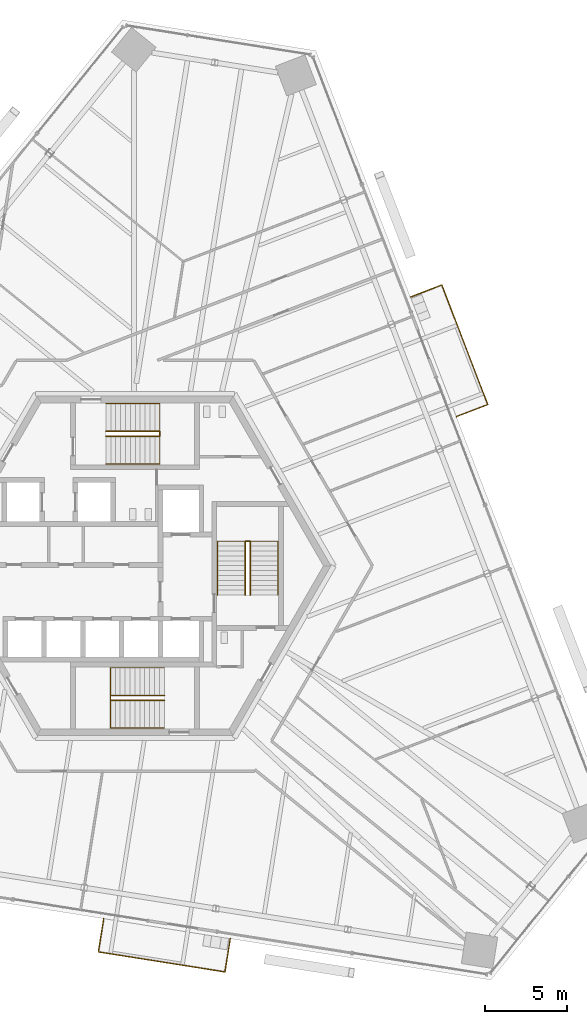
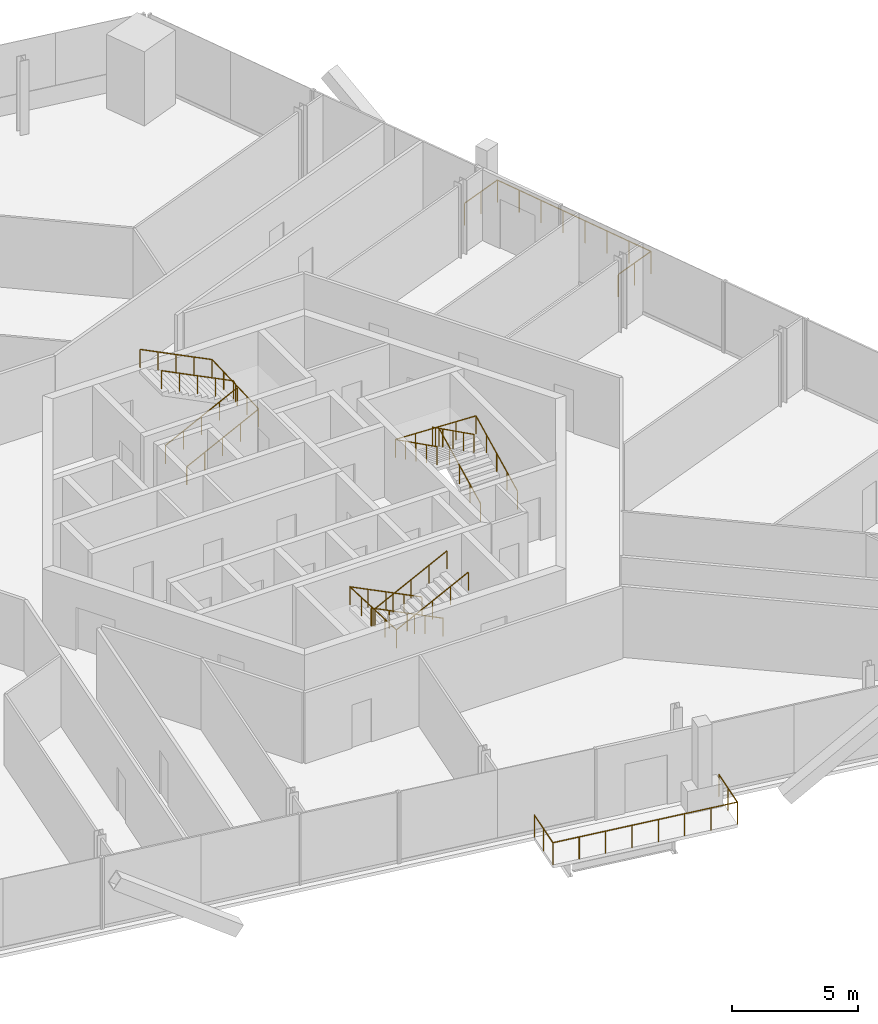
# One storey, part 16 of 19: 8 railings.
"""IFC4 building model written with IfcOpenShell, lengths in metres."""

from ifc_helpers import new_model, si_unit, direction, frame, origin, origin_2d, place, context, subcontext, project, spatial, circle, extrude, source, transform, mapped, material, type_object, element, save


model = new_model("IFC4")

# Units and contexts
model_context = context("Model", 3, precision=1e-05, world=origin(), true_north=direction((0.0, 1.0)))
body_context = subcontext(model_context, "Body", "Model", "MODEL_VIEW")
ifc_project = project(units=[si_unit("LENGTHUNIT", "METRE"), si_unit("AREAUNIT", "SQUARE_METRE"), si_unit("VOLUMEUNIT", "CUBIC_METRE"), si_unit("PLANEANGLEUNIT", "RADIAN"), si_unit("MASSUNIT", "GRAM", prefix="KILO")], contexts=[model_context])

# Site, building, storey
site_placement = place(None, origin())
site = spatial("IfcSite", under=ifc_project, at=site_placement, CompositionType="ELEMENT")
building_placement = place(site_placement, origin())
building = spatial("IfcBuilding", under=site, at=building_placement, Name="Triune Harvest Tower", CompositionType="ELEMENT")
storey_placement = place(building_placement, frame((0.0, 0.0, 164.10009765625)))
storey = spatial("IfcBuildingStorey", under=building, at=storey_placement, Name="L42", CompositionType="ELEMENT", Elevation=164.10009765625)

# Railings
ifc_material_1 = material(Name="Glass", Category="glass")
railing_type_1 = type_object("IfcRailingType", Name="GD-2 balcony guard 1100", PredefinedType="GUARDRAIL", material=ifc_material_1)
railing_1_placement = place(storey_placement, frame((19.682373046875, 9.14013671875, 0.0)))
element("IfcRailing", 1, at=railing_1_placement, inside=storey, type_object=railing_type_1, Name="Balcony guard B4-F1 L42.8", PredefinedType="GUARDRAIL", context=body_context, shape_type="SweptSolid", body=[
    extrude(circle(Radius=0.02392578125, at=origin_2d()), frame((0.0, 0.0, 1.076171875), z_axis=(0.933565221806, 0.358407556608, 0.0), x_axis=(-0.358407556608, 0.933565221806, 0.0)), (0.0, 0.0, 1.0), 2.061279296875),
    extrude(circle(Radius=0.02392578125, at=origin_2d()), frame((1.92431640625, 0.73876953125, 1.076171875), z_axis=(-0.358370618387, 0.93357940202, 0.0), x_axis=(-0.93357940202, -0.358370618387, 0.0)), (0.0, 0.0, 1.0), 7.85205078125),
    extrude(circle(Radius=0.02392578125, at=origin_2d()), frame((-0.8896484375, 8.0693359375, 1.076171875), z_axis=(-0.933565221806, -0.358407556608, 0.0), x_axis=(0.358407556608, -0.933565221806, 0.0)), (0.0, 0.0, 1.0), 2.061279296875),
    extrude(circle(Radius=0.02099609375, at=origin_2d()), origin(), (0.0, 0.0, 1.0), 1.052001953125),
    extrude(circle(Radius=0.02099609375, at=origin_2d()), frame((0.962158203125, 0.369384765625, 0.0)), (0.0, 0.0, 1.0), 1.052001953125),
    extrude(circle(Radius=0.02099609375, at=origin_2d()), frame((1.92431640625, 0.73876953125, 0.0)), (0.0, 0.0, 1.0), 1.052001953125),
    extrude(circle(Radius=0.02099609375, at=origin_2d()), frame((1.522216796875, 1.785888671875, 0.0)), (0.0, 0.0, 1.0), 1.052001953125),
    extrude(circle(Radius=0.02099609375, at=origin_2d()), frame((1.120361328125, 2.833251953125, 0.0)), (0.0, 0.0, 1.0), 1.052001953125),
    extrude(circle(Radius=0.02099609375, at=origin_2d()), frame((0.71826171875, 3.88037109375, 0.0)), (0.0, 0.0, 1.0), 1.052001953125),
    extrude(circle(Radius=0.02099609375, at=origin_2d()), frame((0.31640625, 4.927734375, 0.0)), (0.0, 0.0, 1.0), 1.052001953125),
    extrude(circle(Radius=0.02099609375, at=origin_2d()), frame((-0.085693359375, 5.974853515625, 0.0)), (0.0, 0.0, 1.0), 1.052001953125),
    extrude(circle(Radius=0.02099609375, at=origin_2d()), frame((-0.487548828125, 7.022216796875, 0.0)), (0.0, 0.0, 1.0), 1.052001953125),
    extrude(circle(Radius=0.02099609375, at=origin_2d()), frame((-0.8896484375, 8.0693359375, 0.0)), (0.0, 0.0, 1.0), 1.052001953125),
    extrude(circle(Radius=0.02099609375, at=origin_2d()), frame((-1.851806640625, 7.699951171875, 0.0)), (0.0, 0.0, 1.0), 1.052001953125),
    extrude(circle(Radius=0.02099609375, at=origin_2d()), frame((-2.81396484375, 7.33056640625, 0.0)), (0.0, 0.0, 1.0), 1.052001953125),
])
railing_2_placement = place(storey_placement, frame((-1.925537109375, -21.615478515625, 0.0)))
element("IfcRailing", 2, at=railing_2_placement, inside=storey, type_object=railing_type_1, Name="Balcony guard B4-F5 L42.8", PredefinedType="GUARDRAIL", context=body_context, shape_type="SweptSolid", body=[
    extrude(circle(Radius=0.02392578125, at=origin_2d()), frame((0.0, 0.0, 1.076171875), z_axis=(-0.156442987384, -0.987686990751, 0.0), x_axis=(0.987686990751, -0.156442987384, 0.0)), (0.0, 0.0, 1.0), 2.0615234375),
    extrude(circle(Radius=0.02392578125, at=origin_2d()), frame((-0.322509765625, -2.0361328125, 1.076171875), z_axis=(0.987689494179, -0.156427181427, 0.0), x_axis=(0.156427181427, 0.987689494179, 0.0)), (0.0, 0.0, 1.0), 7.85205078125),
    extrude(circle(Radius=0.02392578125, at=origin_2d()), frame((7.432861328125, -3.264404296875, 1.076171875), z_axis=(0.156461288555, 0.987684091794, 0.0), x_axis=(-0.987684091794, 0.156461288555, 0.0)), (0.0, 0.0, 1.0), 2.061279296875),
    extrude(circle(Radius=0.02099609375, at=origin_2d()), origin(), (0.0, 0.0, 1.0), 1.052001953125),
    extrude(circle(Radius=0.02099609375, at=origin_2d()), frame((-0.1611328125, -1.01806640625, 0.0)), (0.0, 0.0, 1.0), 1.052001953125),
    extrude(circle(Radius=0.02099609375, at=origin_2d()), frame((-0.322509765625, -2.0361328125, 0.0)), (0.0, 0.0, 1.0), 1.052001953125),
    extrude(circle(Radius=0.02099609375, at=origin_2d()), frame((0.785400390625, -2.211669921875, 0.0)), (0.0, 0.0, 1.0), 1.052001953125),
    extrude(circle(Radius=0.02099609375, at=origin_2d()), frame((1.893310546875, -2.386962890625, 0.0)), (0.0, 0.0, 1.0), 1.052001953125),
    extrude(circle(Radius=0.02099609375, at=origin_2d()), frame((3.001220703125, -2.5625, 0.0)), (0.0, 0.0, 1.0), 1.052001953125),
    extrude(circle(Radius=0.02099609375, at=origin_2d()), frame((4.109130859375, -2.738037109375, 0.0)), (0.0, 0.0, 1.0), 1.052001953125),
    extrude(circle(Radius=0.02099609375, at=origin_2d()), frame((5.217041015625, -2.91357421875, 0.0)), (0.0, 0.0, 1.0), 1.052001953125),
    extrude(circle(Radius=0.02099609375, at=origin_2d()), frame((6.324951171875, -3.0888671875, 0.0)), (0.0, 0.0, 1.0), 1.052001953125),
    extrude(circle(Radius=0.02099609375, at=origin_2d()), frame((7.432861328125, -3.264404296875, 0.0)), (0.0, 0.0, 1.0), 1.052001953125),
    extrude(circle(Radius=0.02099609375, at=origin_2d()), frame((7.59423828125, -2.24658203125, 0.0)), (0.0, 0.0, 1.0), 1.052001953125),
    extrude(circle(Radius=0.02099609375, at=origin_2d()), frame((7.75537109375, -1.228515625, 0.0)), (0.0, 0.0, 1.0), 1.052001953125),
])
ifc_material_2 = material(Name="Stainless steel AISI 316", Category="steel")
railing_type_2 = type_object("IfcRailingType", Name="Stair handrail", PredefinedType="HANDRAIL", material=ifc_material_2)
shared_shape_1 = source(origin(), body_context, "Body", "SweptSolid", [
    extrude(circle(Radius=0.02392578125, at=origin_2d()), frame((0.0, 0.0, 0.8759765625), z_axis=(0.894440424912, 0.0, 0.447187126696), x_axis=(0.0, 1.0, 0.0)), (0.0, 0.0, 1.0), 3.689453125),
    extrude(circle(Radius=0.02392578125, at=origin_2d()), frame((3.300048828125, 0.0, 2.52587890625), z_axis=(0.0, 0.999177620331, 0.040547293732), x_axis=(-1.0, 0.0, 0.0)), (0.0, 0.0, 1.0), 3.702880859375),
    extrude(circle(Radius=0.02392578125, at=origin_2d()), frame((3.300048828125, 3.699951171875, 2.67578125), z_axis=(-0.894440424912, 0.0, 0.447187126696), x_axis=(0.0, -1.0, 0.0)), (0.0, 0.0, 1.0), 3.689453125),
    extrude(circle(Radius=0.02099609375, at=origin_2d()), origin(), (0.0, 0.0, 1.0), 0.851806640625),
    extrude(circle(Radius=0.02099609375, at=origin_2d()), frame((0.824951171875, 0.0, 0.41259765625)), (0.0, 0.0, 1.0), 0.851806640625),
    extrude(circle(Radius=0.02099609375, at=origin_2d()), frame((1.64990234375, 0.0, 0.824951171875)), (0.0, 0.0, 1.0), 0.851806640625),
    extrude(circle(Radius=0.02099609375, at=origin_2d()), frame((2.47509765625, 0.0, 1.2373046875)), (0.0, 0.0, 1.0), 0.851806640625),
    extrude(circle(Radius=0.02099609375, at=origin_2d()), frame((3.300048828125, 0.0, 1.64990234375)), (0.0, 0.0, 1.0), 0.851806640625),
    extrude(circle(Radius=0.02099609375, at=origin_2d()), frame((3.300048828125, 0.925048828125, 1.6875)), (0.0, 0.0, 1.0), 0.851806640625),
    extrude(circle(Radius=0.02099609375, at=origin_2d()), frame((3.300048828125, 1.85009765625, 1.72509765625)), (0.0, 0.0, 1.0), 0.851806640625),
    extrude(circle(Radius=0.02099609375, at=origin_2d()), frame((3.300048828125, 2.77490234375, 1.762451171875)), (0.0, 0.0, 1.0), 0.851806640625),
    extrude(circle(Radius=0.02099609375, at=origin_2d()), frame((3.300048828125, 3.699951171875, 1.800048828125)), (0.0, 0.0, 1.0), 0.851806640625),
    extrude(circle(Radius=0.02099609375, at=origin_2d()), frame((2.47509765625, 3.699951171875, 2.21240234375)), (0.0, 0.0, 1.0), 0.851806640625),
    extrude(circle(Radius=0.02099609375, at=origin_2d()), frame((1.64990234375, 3.699951171875, 2.625)), (0.0, 0.0, 1.0), 0.851806640625),
    extrude(circle(Radius=0.02099609375, at=origin_2d()), frame((0.824951171875, 3.699951171875, 3.03759765625)), (0.0, 0.0, 1.0), 0.851806640625),
    extrude(circle(Radius=0.02099609375, at=origin_2d()), frame((0.0, 3.699951171875, 3.449951171875)), (0.0, 0.0, 1.0), 0.851806640625),
])
railing_3_placement = place(storey_placement, frame((-1.7900390625, 6.239990234375, 0.14990234375)))
element("IfcRailing", 3, at=railing_3_placement, inside=storey, type_object=railing_type_2, Name="Exit stair north wall handrail", PredefinedType="HANDRAIL", context=body_context, shape_type="MappedRepresentation", body=[
    mapped(shared_shape_1, transform((0.0, 0.0, 0.0), scale=1.0)),
])
shared_shape_2 = source(origin(), body_context, "Body", "SweptSolid", [
    extrude(circle(Radius=0.02392578125, at=origin_2d()), frame((0.0, 0.0, 0.8759765625), z_axis=(0.894440424912, 0.0, 0.447187126696), x_axis=(0.0, 1.0, 0.0)), (0.0, 0.0, 1.0), 3.689453125),
    extrude(circle(Radius=0.02392578125, at=origin_2d()), frame((3.300048828125, 0.0, 2.52587890625), z_axis=(0.0, 0.894281613681, 0.447504631744), x_axis=(-1.0, 0.0, 0.0)), (0.0, 0.0, 1.0), 0.33544921875),
    extrude(circle(Radius=0.02392578125, at=origin_2d()), frame((3.300048828125, 0.300048828125, 2.67578125), z_axis=(-0.894440424912, 0.0, 0.447187126696), x_axis=(0.0, -1.0, 0.0)), (0.0, 0.0, 1.0), 3.689453125),
    extrude(circle(Radius=0.02099609375, at=origin_2d()), origin(), (0.0, 0.0, 1.0), 0.851806640625),
    extrude(circle(Radius=0.02099609375, at=origin_2d()), frame((0.824951171875, 0.0, 0.41259765625)), (0.0, 0.0, 1.0), 0.851806640625),
    extrude(circle(Radius=0.02099609375, at=origin_2d()), frame((1.64990234375, 0.0, 0.824951171875)), (0.0, 0.0, 1.0), 0.851806640625),
    extrude(circle(Radius=0.02099609375, at=origin_2d()), frame((2.47509765625, 0.0, 1.2373046875)), (0.0, 0.0, 1.0), 0.851806640625),
    extrude(circle(Radius=0.02099609375, at=origin_2d()), frame((3.300048828125, 0.0, 1.64990234375)), (0.0, 0.0, 1.0), 0.851806640625),
    extrude(circle(Radius=0.02099609375, at=origin_2d()), frame((3.300048828125, 0.300048828125, 1.800048828125)), (0.0, 0.0, 1.0), 0.851806640625),
    extrude(circle(Radius=0.02099609375, at=origin_2d()), frame((2.47509765625, 0.300048828125, 2.21240234375)), (0.0, 0.0, 1.0), 0.851806640625),
    extrude(circle(Radius=0.02099609375, at=origin_2d()), frame((1.64990234375, 0.300048828125, 2.625)), (0.0, 0.0, 1.0), 0.851806640625),
    extrude(circle(Radius=0.02099609375, at=origin_2d()), frame((0.824951171875, 0.300048828125, 3.03759765625)), (0.0, 0.0, 1.0), 0.851806640625),
    extrude(circle(Radius=0.02099609375, at=origin_2d()), frame((0.0, 0.300048828125, 3.449951171875)), (0.0, 0.0, 1.0), 0.851806640625),
])
railing_4_placement = place(storey_placement, frame((-1.7900390625, 7.93994140625, 0.14990234375)))
element("IfcRailing", 4, at=railing_4_placement, inside=storey, type_object=railing_type_2, Name="Exit stair north centre handrail", PredefinedType="HANDRAIL", context=body_context, shape_type="MappedRepresentation", body=[
    mapped(shared_shape_2, transform((0.0, 0.0, 0.0), scale=1.0)),
])
shared_shape_3 = source(origin(), body_context, "Body", "SweptSolid", [
    extrude(circle(Radius=0.02392578125, at=origin_2d()), frame((0.0, 0.0, 0.8759765625), z_axis=(-0.894440424912, 0.0, 0.447187126696), x_axis=(0.0, -1.0, 0.0)), (0.0, 0.0, 1.0), 3.689453125),
    extrude(circle(Radius=0.02392578125, at=origin_2d()), frame((-3.300048828125, 0.0, 2.52587890625), z_axis=(0.0, -0.999177620331, 0.040547293732), x_axis=(1.0, 0.0, 0.0)), (0.0, 0.0, 1.0), 3.702880859375),
    extrude(circle(Radius=0.02392578125, at=origin_2d()), frame((-3.300048828125, -3.699951171875, 2.67578125), z_axis=(0.894440424912, 0.0, 0.447187126696), x_axis=(0.0, 1.0, 0.0)), (0.0, 0.0, 1.0), 3.689453125),
    extrude(circle(Radius=0.02099609375, at=origin_2d()), origin(), (0.0, 0.0, 1.0), 0.851806640625),
    extrude(circle(Radius=0.02099609375, at=origin_2d()), frame((-0.824951171875, 0.0, 0.41259765625)), (0.0, 0.0, 1.0), 0.851806640625),
    extrude(circle(Radius=0.02099609375, at=origin_2d()), frame((-1.64990234375, 0.0, 0.824951171875)), (0.0, 0.0, 1.0), 0.851806640625),
    extrude(circle(Radius=0.02099609375, at=origin_2d()), frame((-2.47509765625, 0.0, 1.2373046875)), (0.0, 0.0, 1.0), 0.851806640625),
    extrude(circle(Radius=0.02099609375, at=origin_2d()), frame((-3.300048828125, 0.0, 1.64990234375)), (0.0, 0.0, 1.0), 0.851806640625),
    extrude(circle(Radius=0.02099609375, at=origin_2d()), frame((-3.300048828125, -0.925048828125, 1.6875)), (0.0, 0.0, 1.0), 0.851806640625),
    extrude(circle(Radius=0.02099609375, at=origin_2d()), frame((-3.300048828125, -1.85009765625, 1.72509765625)), (0.0, 0.0, 1.0), 0.851806640625),
    extrude(circle(Radius=0.02099609375, at=origin_2d()), frame((-3.300048828125, -2.77490234375, 1.762451171875)), (0.0, 0.0, 1.0), 0.851806640625),
    extrude(circle(Radius=0.02099609375, at=origin_2d()), frame((-3.300048828125, -3.699951171875, 1.800048828125)), (0.0, 0.0, 1.0), 0.851806640625),
    extrude(circle(Radius=0.02099609375, at=origin_2d()), frame((-2.47509765625, -3.699951171875, 2.21240234375)), (0.0, 0.0, 1.0), 0.851806640625),
    extrude(circle(Radius=0.02099609375, at=origin_2d()), frame((-1.64990234375, -3.699951171875, 2.625)), (0.0, 0.0, 1.0), 0.851806640625),
    extrude(circle(Radius=0.02099609375, at=origin_2d()), frame((-0.824951171875, -3.699951171875, 3.03759765625)), (0.0, 0.0, 1.0), 0.851806640625),
    extrude(circle(Radius=0.02099609375, at=origin_2d()), frame((0.0, -3.699951171875, 3.449951171875)), (0.0, 0.0, 1.0), 0.851806640625),
])
railing_5_placement = place(storey_placement, frame((1.7900390625, -6.239990234375, 0.14990234375)))
element("IfcRailing", 5, at=railing_5_placement, inside=storey, type_object=railing_type_2, Name="Exit stair south wall handrail", PredefinedType="HANDRAIL", context=body_context, shape_type="MappedRepresentation", body=[
    mapped(shared_shape_3, transform((0.0, 0.0, 0.0), scale=1.0)),
])
shared_shape_4 = source(origin(), body_context, "Body", "SweptSolid", [
    extrude(circle(Radius=0.02392578125, at=origin_2d()), frame((0.0, 0.0, 0.8759765625), z_axis=(-0.894440424912, 0.0, 0.447187126696), x_axis=(0.0, -1.0, 0.0)), (0.0, 0.0, 1.0), 3.689453125),
    extrude(circle(Radius=0.02392578125, at=origin_2d()), frame((-3.300048828125, 0.0, 2.52587890625), z_axis=(0.0, -0.894281613681, 0.447504631744), x_axis=(1.0, 0.0, 0.0)), (0.0, 0.0, 1.0), 0.33544921875),
    extrude(circle(Radius=0.02392578125, at=origin_2d()), frame((-3.300048828125, -0.300048828125, 2.67578125), z_axis=(0.894440424912, 0.0, 0.447187126696), x_axis=(0.0, 1.0, 0.0)), (0.0, 0.0, 1.0), 3.689453125),
    extrude(circle(Radius=0.02099609375, at=origin_2d()), origin(), (0.0, 0.0, 1.0), 0.851806640625),
    extrude(circle(Radius=0.02099609375, at=origin_2d()), frame((-0.824951171875, 0.0, 0.41259765625)), (0.0, 0.0, 1.0), 0.851806640625),
    extrude(circle(Radius=0.02099609375, at=origin_2d()), frame((-1.64990234375, 0.0, 0.824951171875)), (0.0, 0.0, 1.0), 0.851806640625),
    extrude(circle(Radius=0.02099609375, at=origin_2d()), frame((-2.47509765625, 0.0, 1.2373046875)), (0.0, 0.0, 1.0), 0.851806640625),
    extrude(circle(Radius=0.02099609375, at=origin_2d()), frame((-3.300048828125, 0.0, 1.64990234375)), (0.0, 0.0, 1.0), 0.851806640625),
    extrude(circle(Radius=0.02099609375, at=origin_2d()), frame((-3.300048828125, -0.300048828125, 1.800048828125)), (0.0, 0.0, 1.0), 0.851806640625),
    extrude(circle(Radius=0.02099609375, at=origin_2d()), frame((-2.47509765625, -0.300048828125, 2.21240234375)), (0.0, 0.0, 1.0), 0.851806640625),
    extrude(circle(Radius=0.02099609375, at=origin_2d()), frame((-1.64990234375, -0.300048828125, 2.625)), (0.0, 0.0, 1.0), 0.851806640625),
    extrude(circle(Radius=0.02099609375, at=origin_2d()), frame((-0.824951171875, -0.300048828125, 3.03759765625)), (0.0, 0.0, 1.0), 0.851806640625),
    extrude(circle(Radius=0.02099609375, at=origin_2d()), frame((0.0, -0.300048828125, 3.449951171875)), (0.0, 0.0, 1.0), 0.851806640625),
])
railing_6_placement = place(storey_placement, frame((1.7900390625, -7.93994140625, 0.14990234375)))
element("IfcRailing", 6, at=railing_6_placement, inside=storey, type_object=railing_type_2, Name="Exit stair south centre handrail", PredefinedType="HANDRAIL", context=body_context, shape_type="MappedRepresentation", body=[
    mapped(shared_shape_4, transform((0.0, 0.0, 0.0), scale=1.0)),
])
shared_shape_5 = source(origin(), body_context, "Body", "SweptSolid", [
    extrude(circle(Radius=0.02392578125, at=origin_2d()), frame((0.0, 0.0, 0.8759765625), z_axis=(0.0, 0.894440424912, 0.447187126696), x_axis=(-1.0, 0.0, 0.0)), (0.0, 0.0, 1.0), 3.689453125),
    extrude(circle(Radius=0.02392578125, at=origin_2d()), frame((0.0, 3.300048828125, 2.52587890625), z_axis=(-0.999177620331, 0.0, 0.040547293732), x_axis=(0.0, -1.0, 0.0)), (0.0, 0.0, 1.0), 3.702880859375),
    extrude(circle(Radius=0.02392578125, at=origin_2d()), frame((-3.699951171875, 3.300048828125, 2.67578125), z_axis=(0.0, -0.894440424912, 0.447187126696), x_axis=(1.0, 0.0, 0.0)), (0.0, 0.0, 1.0), 3.689453125),
    extrude(circle(Radius=0.02099609375, at=origin_2d()), origin(), (0.0, 0.0, 1.0), 0.851806640625),
    extrude(circle(Radius=0.02099609375, at=origin_2d()), frame((0.0, 0.824951171875, 0.41259765625)), (0.0, 0.0, 1.0), 0.851806640625),
    extrude(circle(Radius=0.02099609375, at=origin_2d()), frame((0.0, 1.64990234375, 0.824951171875)), (0.0, 0.0, 1.0), 0.851806640625),
    extrude(circle(Radius=0.02099609375, at=origin_2d()), frame((0.0, 2.47509765625, 1.2373046875)), (0.0, 0.0, 1.0), 0.851806640625),
    extrude(circle(Radius=0.02099609375, at=origin_2d()), frame((0.0, 3.300048828125, 1.64990234375)), (0.0, 0.0, 1.0), 0.851806640625),
    extrude(circle(Radius=0.02099609375, at=origin_2d()), frame((-0.925048828125, 3.300048828125, 1.6875)), (0.0, 0.0, 1.0), 0.851806640625),
    extrude(circle(Radius=0.02099609375, at=origin_2d()), frame((-1.85009765625, 3.300048828125, 1.72509765625)), (0.0, 0.0, 1.0), 0.851806640625),
    extrude(circle(Radius=0.02099609375, at=origin_2d()), frame((-2.77490234375, 3.300048828125, 1.762451171875)), (0.0, 0.0, 1.0), 0.851806640625),
    extrude(circle(Radius=0.02099609375, at=origin_2d()), frame((-3.699951171875, 3.300048828125, 1.800048828125)), (0.0, 0.0, 1.0), 0.851806640625),
    extrude(circle(Radius=0.02099609375, at=origin_2d()), frame((-3.699951171875, 2.47509765625, 2.21240234375)), (0.0, 0.0, 1.0), 0.851806640625),
    extrude(circle(Radius=0.02099609375, at=origin_2d()), frame((-3.699951171875, 1.64990234375, 2.625)), (0.0, 0.0, 1.0), 0.851806640625),
    extrude(circle(Radius=0.02099609375, at=origin_2d()), frame((-3.699951171875, 0.824951171875, 3.03759765625)), (0.0, 0.0, 1.0), 0.851806640625),
    extrude(circle(Radius=0.02099609375, at=origin_2d()), frame((-3.699951171875, 0.0, 3.449951171875)), (0.0, 0.0, 1.0), 0.851806640625),
])
railing_7_placement = place(storey_placement, frame((8.75, -1.7900390625, 0.14990234375)))
element("IfcRailing", 7, at=railing_7_placement, inside=storey, type_object=railing_type_2, Name="Exit stair east wall handrail", PredefinedType="HANDRAIL", context=body_context, shape_type="MappedRepresentation", body=[
    mapped(shared_shape_5, transform((0.0, 0.0, 0.0), scale=1.0)),
])
shared_shape_6 = source(origin(), body_context, "Body", "SweptSolid", [
    extrude(circle(Radius=0.02392578125, at=origin_2d()), frame((0.0, 0.0, 0.8759765625), z_axis=(0.0, 0.894440424912, 0.447187126696), x_axis=(-1.0, 0.0, 0.0)), (0.0, 0.0, 1.0), 3.689453125),
    extrude(circle(Radius=0.02392578125, at=origin_2d()), frame((0.0, 3.300048828125, 2.52587890625), z_axis=(-0.894281613681, 0.0, 0.447504631744), x_axis=(0.0, -1.0, 0.0)), (0.0, 0.0, 1.0), 0.33544921875),
    extrude(circle(Radius=0.02392578125, at=origin_2d()), frame((-0.300048828125, 3.300048828125, 2.67578125), z_axis=(0.0, -0.894440424912, 0.447187126696), x_axis=(1.0, 0.0, 0.0)), (0.0, 0.0, 1.0), 3.689453125),
    extrude(circle(Radius=0.02099609375, at=origin_2d()), origin(), (0.0, 0.0, 1.0), 0.851806640625),
    extrude(circle(Radius=0.02099609375, at=origin_2d()), frame((0.0, 0.824951171875, 0.41259765625)), (0.0, 0.0, 1.0), 0.851806640625),
    extrude(circle(Radius=0.02099609375, at=origin_2d()), frame((0.0, 1.64990234375, 0.824951171875)), (0.0, 0.0, 1.0), 0.851806640625),
    extrude(circle(Radius=0.02099609375, at=origin_2d()), frame((0.0, 2.47509765625, 1.2373046875)), (0.0, 0.0, 1.0), 0.851806640625),
    extrude(circle(Radius=0.02099609375, at=origin_2d()), frame((0.0, 3.300048828125, 1.64990234375)), (0.0, 0.0, 1.0), 0.851806640625),
    extrude(circle(Radius=0.02099609375, at=origin_2d()), frame((-0.300048828125, 3.300048828125, 1.800048828125)), (0.0, 0.0, 1.0), 0.851806640625),
    extrude(circle(Radius=0.02099609375, at=origin_2d()), frame((-0.300048828125, 2.47509765625, 2.21240234375)), (0.0, 0.0, 1.0), 0.851806640625),
    extrude(circle(Radius=0.02099609375, at=origin_2d()), frame((-0.300048828125, 1.64990234375, 2.625)), (0.0, 0.0, 1.0), 0.851806640625),
    extrude(circle(Radius=0.02099609375, at=origin_2d()), frame((-0.300048828125, 0.824951171875, 3.03759765625)), (0.0, 0.0, 1.0), 0.851806640625),
    extrude(circle(Radius=0.02099609375, at=origin_2d()), frame((-0.300048828125, 0.0, 3.449951171875)), (0.0, 0.0, 1.0), 0.851806640625),
])
railing_8_placement = place(storey_placement, frame((7.050048828125, -1.7900390625, 0.14990234375)))
element("IfcRailing", 8, at=railing_8_placement, inside=storey, type_object=railing_type_2, Name="Exit stair east centre handrail", PredefinedType="HANDRAIL", context=body_context, shape_type="MappedRepresentation", body=[
    mapped(shared_shape_6, transform((0.0, 0.0, 0.0), scale=1.0)),
])

save(model, "model.ifc")
